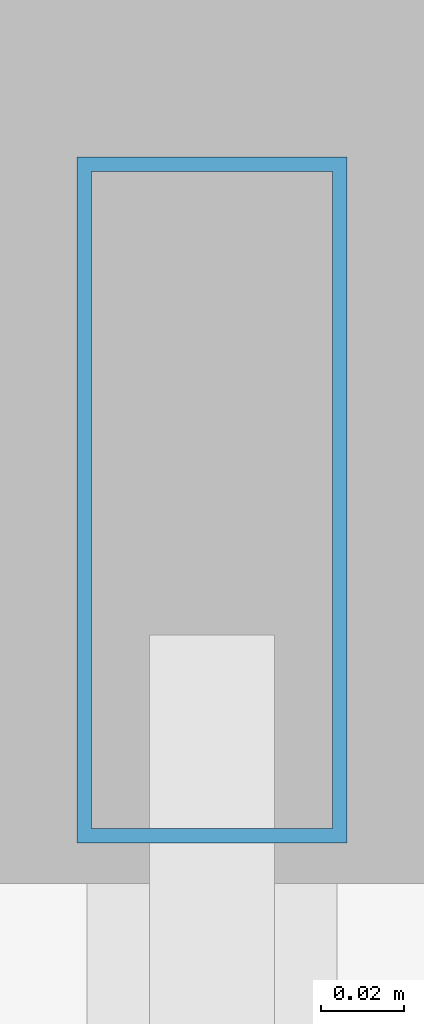
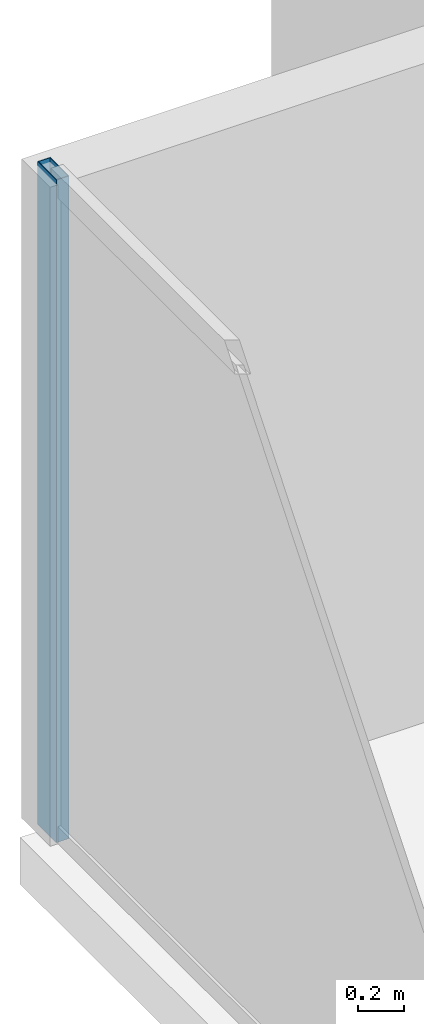
# One storey, part 12 of 24: 1 member, 1 element without a shape of its own.
"""IFC4 building model written with IfcOpenShell, lengths in metres."""

from ifc_helpers import new_model, si_unit, direction, frame, origin, origin_2d, place, context, subcontext, project, spatial, hollow_rectangle, extrude, source, transform, mapped, material, layer, layer_set, material_profile, profile_set, type_object, type_shapes, element, aggregate, save


model = new_model("IFC4")

# Units and contexts
model_context = context("Model", 3, precision=1e-05, world=origin(), true_north=direction((0.0, 1.0)))
body_context = subcontext(model_context, "Body", "Model", "MODEL_VIEW")
ifc_project = project(units=[si_unit("LENGTHUNIT", "METRE"), si_unit("AREAUNIT", "SQUARE_METRE"), si_unit("VOLUMEUNIT", "CUBIC_METRE"), si_unit("PLANEANGLEUNIT", "RADIAN"), si_unit("MASSUNIT", "GRAM", prefix="KILO")], contexts=[model_context])

# Site, building, storey
site_placement = place(None, origin())
site = spatial("IfcSite", under=ifc_project, at=site_placement, CompositionType="ELEMENT")
building_placement = place(site_placement, origin())
building = spatial("IfcBuilding", under=site, at=building_placement, Name="Varnel Quay Broadcast Tower", CompositionType="ELEMENT")
storey_placement = place(building_placement, frame((0.0, 0.0, 277.39990234375)))
storey = spatial("IfcBuildingStorey", under=building, at=storey_placement, Name="L69", CompositionType="ELEMENT", Elevation=277.39990234375)

# Curtain wall, member
ifc_material = material(Name="Anodised Bronze Aluminium 6063-T6", Category="aluminium")
ifc_layer = layer(ifc_material, 0.18994140625, Name="Anodised Bronze Aluminium 6063-T6")
ifc_layer_set = layer_set([ifc_layer], Name="Anodised Bronze Aluminium 6063-T6")
curtain_wall_type = type_object("IfcCurtainWallType", Name="CW_UpperTower", PredefinedType="NOTDEFINED", material=ifc_layer_set)
curtain_wall_placement = place(storey_placement, origin())
curtain_wall = element("IfcCurtainWall", 1, at=curtain_wall_placement, inside=storey, type_object=curtain_wall_type, Name="L69 West Unitised Curtain Wall", PredefinedType="NOTDEFINED")
ifc_material_profile = material_profile(ifc_material, hollow_rectangle(XDim=0.06494140625, YDim=0.1650390625, WallThickness=0.00341796875, at=origin_2d()), Name="ALU65X165X3.5")
ifc_profile_set = profile_set([ifc_material_profile], Name="Anodised Bronze Aluminium 6063-T6")
member_type = type_object("IfcMemberType", Name="Mull_CWS-03", PredefinedType="MULLION", material=ifc_profile_set)
shared_shape = source(origin(), body_context, "Body", "SweptSolid", [
    extrude(hollow_rectangle(XDim=0.06494140625, YDim=0.1650390625, WallThickness=0.00341796875, at=origin_2d()), origin(), (0.0, 0.0, 1.0), 3.550048828125),
])
type_shapes(member_type, [shared_shape])
member_placement = place(storey_placement, frame((12.14990234375, 43.5673828125, 0.0), z_axis=(0.0, 0.0, 1.0), x_axis=(-1.0, 0.0, 0.0)))
member = element("IfcMember", 2, at=member_placement, type_object=member_type, Name="CWS-03 mullion 3", PredefinedType="MULLION", context=body_context, shape_type="MappedRepresentation", body=[
    mapped(shared_shape, transform((0.0, 0.0, 0.0), x_axis=(1.0, 0.0, 0.0), y_axis=(0.0, 1.0, 0.0), z_axis=(0.0, 0.0, 1.0), scale=1.0)),
])
aggregate(curtain_wall, [member])

save(model, "model.ifc")
